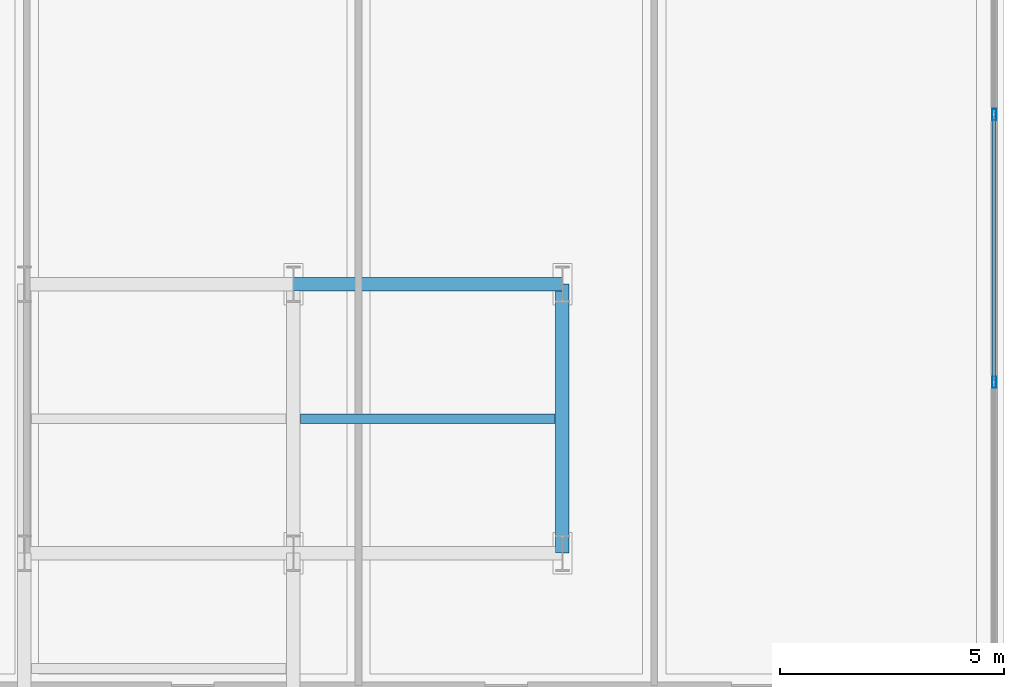
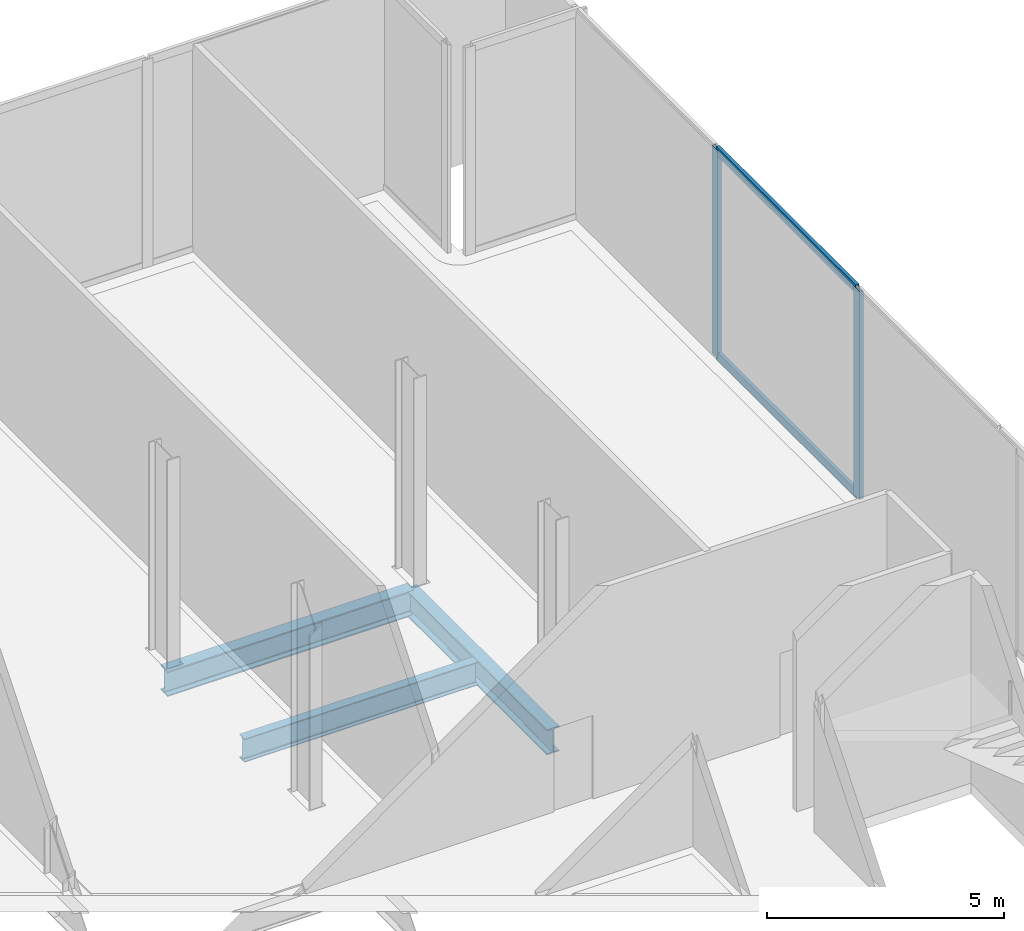
# One storey, part 18 of 27: 4 members, 3 beams, 1 element without a shape of its own.
"""IFC4 building model written with IfcOpenShell, lengths in metres."""

from ifc_helpers import new_model, si_unit, direction, frame, origin, origin_2d, place, context, subcontext, project, spatial, hollow_rectangle, i_section, extrude, material, layer, layer_set, material_profile, profile_set, type_object, element, aggregate, save


model = new_model("IFC4")

# Units and contexts
model_context = context("Model", 3, precision=1e-05, world=origin(), true_north=direction((0.0, 1.0)))
body_context = subcontext(model_context, "Body", "Model", "MODEL_VIEW")
ifc_project = project(units=[si_unit("LENGTHUNIT", "METRE"), si_unit("AREAUNIT", "SQUARE_METRE"), si_unit("VOLUMEUNIT", "CUBIC_METRE"), si_unit("PLANEANGLEUNIT", "RADIAN"), si_unit("MASSUNIT", "GRAM", prefix="KILO"), si_unit("THERMODYNAMICTEMPERATUREUNIT", "KELVIN"), si_unit("POWERUNIT", "WATT")], contexts=[model_context])

# Site, building, storey
site_placement = place(None, origin())
site = spatial("IfcSite", under=ifc_project, at=site_placement, CompositionType="ELEMENT")
building_placement = place(site_placement, origin())
building = spatial("IfcBuilding", under=site, at=building_placement, Name="Svarakhadi Broadcast Tower", CompositionType="ELEMENT")
storey_placement = place(building_placement, frame((0.0, 0.0, 21.89990234375)))
storey = spatial("IfcBuildingStorey", under=building, at=storey_placement, Name="L04", CompositionType="ELEMENT", Elevation=21.89990234375)

# Beam
ifc_material_1 = material(Name="Steel S355J2 (IS 2062 E350C)", Category="steel")
ifc_material_profile_1 = material_profile(ifc_material_1, i_section(OverallWidth=0.219970703125, OverallDepth=0.60009765625, WebThickness=0.011962890625, FlangeThickness=0.01904296875, FilletRadius=0.02392578125, at=origin_2d()), Name="NPB 600x220x122")
ifc_profile_set_1 = profile_set([ifc_material_profile_1], Name="Steel S355J2 (IS 2062 E350C)")
beam_type_1 = type_object("IfcBeamType", Name="Beam_NPB600", PredefinedType="BEAM", material=ifc_profile_set_1)
beam_placement = place(storey_placement, frame((47.31005859375, 32.14990234375, -0.574951171875), z_axis=(1.0, 0.0, 0.0), x_axis=(0.0, 1.0, 0.0)))
element("IfcBeam", 1, at=beam_placement, inside=storey, type_object=beam_type_1, Name="L04 Secondary Composite Beam SB028", PredefinedType="BEAM", context=body_context, shape_type="SweptSolid", body=[
    extrude(i_section(OverallWidth=0.219970703125, OverallDepth=0.60009765625, WebThickness=0.011962890625, FlangeThickness=0.01904296875, FilletRadius=0.02392578125, at=origin_2d()), origin(), (0.0, 0.0, 1.0), 5.679931640625),
])

# Curtain wall, members
ifc_material_2 = material(Name="Anodised Bronze Aluminium AA 6063-T6", Category="aluminium")
ifc_layer = layer(ifc_material_2, 0.25)
ifc_layer_set = layer_set([ifc_layer], Name="Anodised Bronze Aluminium AA 6063-T6")
curtain_wall_type = type_object("IfcCurtainWallType", Name="CW_Sys_01", PredefinedType="NOTDEFINED", material=ifc_layer_set)
curtain_wall_placement = place(storey_placement, origin())
curtain_wall = element("IfcCurtainWall", 2, at=curtain_wall_placement, inside=storey, type_object=curtain_wall_type, Name="L04 Unitised Facade Curtain Wall 08", PredefinedType="NOTDEFINED")
ifc_material_profile_2 = material_profile(ifc_material_2, hollow_rectangle(XDim=0.094970703125, YDim=0.25, WallThickness=0.006103515625, at=origin_2d()), Name="ALU MULLION 250x95x6")
ifc_profile_set_2 = profile_set([ifc_material_profile_2], Name="Anodised Bronze Aluminium AA 6063-T6")
member_type_1 = type_object("IfcMemberType", Name="CW_Sys_01_Mul", PredefinedType="MULLION", material=ifc_profile_set_2)
member_1_placement = place(storey_placement, frame((62.780029296875, 38.935791015625, 0.0), z_axis=(0.0, 0.0, 1.0), x_axis=(1.0, 0.0, 0.0)))
member_1 = element("IfcMember", 3, at=member_1_placement, type_object=member_type_1, Name="CW-01 mullion 2", PredefinedType="MULLION", context=body_context, shape_type="SweptSolid", body=[
    extrude(hollow_rectangle(XDim=0.094970703125, YDim=0.25, WallThickness=0.006103515625, at=origin_2d()), origin(), (0.0, 0.0, 1.0), 5.35009765625),
])
member_2_placement = place(storey_placement, frame((62.780029296875, 32.96142578125, 0.0), z_axis=(0.0, 0.0, 1.0), x_axis=(1.0, 0.0, 0.0)))
member_2 = element("IfcMember", 4, at=member_2_placement, type_object=member_type_1, Name="CW-01 mullion 3", PredefinedType="MULLION", context=body_context, shape_type="SweptSolid", body=[
    extrude(hollow_rectangle(XDim=0.094970703125, YDim=0.25, WallThickness=0.006103515625, at=origin_2d()), origin(), (0.0, 0.0, 1.0), 5.35009765625),
])
ifc_material_profile_3 = material_profile(ifc_material_2, hollow_rectangle(XDim=0.0849609375, YDim=0.219970703125, WallThickness=0.0048828125, at=origin_2d()), Name="ALU TRANSOM 220x85x5")
ifc_profile_set_3 = profile_set([ifc_material_profile_3], Name="Anodised Bronze Aluminium AA 6063-T6")
member_type_2 = type_object("IfcMemberType", Name="CW_Sys_01_Trn", PredefinedType="USERDEFINED", material=ifc_profile_set_3)
member_3_placement = place(storey_placement, frame((62.780029296875, 38.88818359375, 0.04248046875), z_axis=(0.0, -1.0, 0.0), x_axis=(1.0, 0.0, 0.0)))
member_3 = element("IfcMember", 5, at=member_3_placement, type_object=member_type_2, Name="CW-01 transom 2.1", ObjectType="TRANSOM", PredefinedType="USERDEFINED", context=body_context, shape_type="SweptSolid", body=[
    extrude(hollow_rectangle(XDim=0.0849609375, YDim=0.219970703125, WallThickness=0.0048828125, at=origin_2d()), origin(), (0.0, 0.0, 1.0), 5.879150390625),
])
member_4_placement = place(storey_placement, frame((62.780029296875, 38.88818359375, 5.3076171875), z_axis=(0.0, -1.0, 0.0), x_axis=(1.0, 0.0, 0.0)))
member_4 = element("IfcMember", 6, at=member_4_placement, type_object=member_type_2, Name="CW-01 transom 2.2", ObjectType="TRANSOM", PredefinedType="USERDEFINED", context=body_context, shape_type="SweptSolid", body=[
    extrude(hollow_rectangle(XDim=0.0849609375, YDim=0.219970703125, WallThickness=0.0048828125, at=origin_2d()), origin(), (0.0, 0.0, 1.0), 5.879150390625),
])
aggregate(curtain_wall, [member_1, member_2, member_3, member_4])

# Beams
ifc_material_profile_4 = material_profile(ifc_material_1, i_section(OverallWidth=0.300048828125, OverallDepth=0.64990234375, WebThickness=0.01611328125, FlangeThickness=0.031005859375, FilletRadius=0.027099609375, at=origin_2d()), Name="WPB 650x300x225")
ifc_profile_set_4 = profile_set([ifc_material_profile_4], Name="Steel S355J2 (IS 2062 E350C)")
beam_type_2 = type_object("IfcBeamType", Name="Girder_WPB650", PredefinedType="USERDEFINED", material=ifc_profile_set_4)
for number, where, z_axis, x_axis, name in (
    (7, (47.14990234375, 35.14990234375, -0.599853515625), (1.0, 0.0, 0.0), (0.0, 1.0, 0.0), "L04 Primary E-W Girder G039"),
    (8, (53.14990234375, 29.14990234375, -0.599853515625), (0.0, 1.0, 0.0), (-1.0, 0.0, 0.0), "L04 Primary N-S Girder G085"),
):
    element("IfcBeam", number, at=place(storey_placement, frame(where, z_axis=z_axis, x_axis=x_axis)), inside=storey, type_object=beam_type_2, Name=name, ObjectType="GIRDER", PredefinedType="USERDEFINED", context=body_context, shape_type="SweptSolid", body=[
        extrude(i_section(OverallWidth=0.300048828125, OverallDepth=0.64990234375, WebThickness=0.01611328125, FlangeThickness=0.031005859375, FilletRadius=0.027099609375, at=origin_2d()), origin(), (0.0, 0.0, 1.0), 6.0),
    ])

save(model, "model.ifc")
